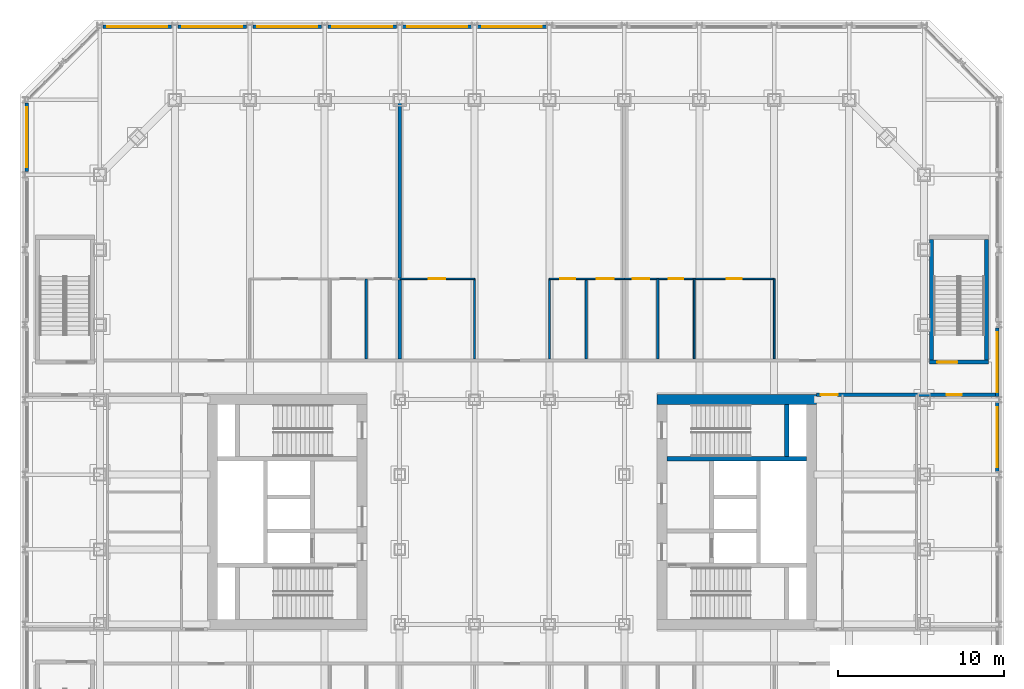
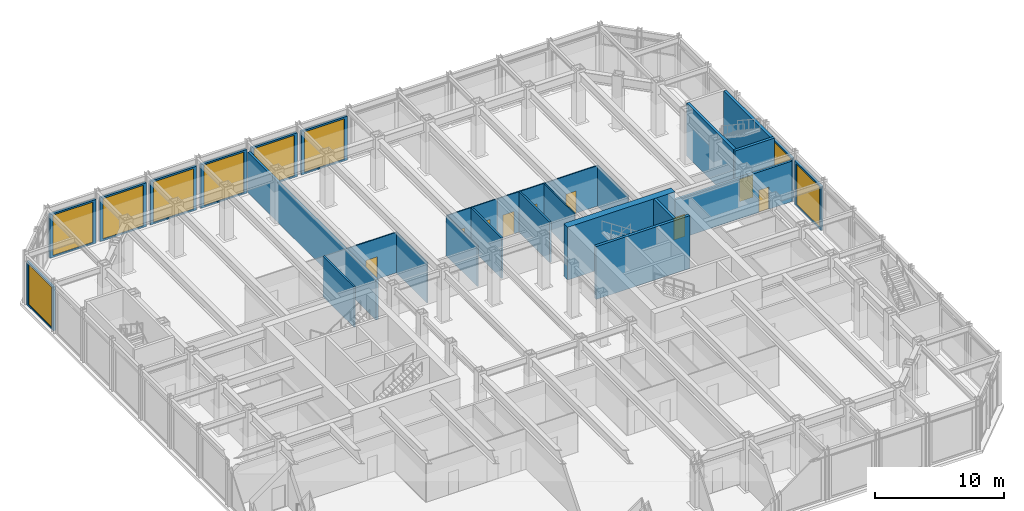
# One storey, part 14 of 19: 27 walls, 9 doors, 9 windows, 18 openings.
"""IFC4 building model written with IfcOpenShell, lengths in metres."""

from ifc_helpers import new_model, si_unit, direction, frame, frame_2d, origin, place, context, subcontext, project, spatial, rectangle, extrude, material, layer, layer_set, type_object, element, fill, save


model = new_model("IFC4")

# Units and contexts
model_context = context("Model", 3, precision=1e-05, world=origin(), true_north=direction((0.0, 1.0)))
body_context = subcontext(model_context, "Body", "Model", "MODEL_VIEW")
ifc_project = project(units=[si_unit("LENGTHUNIT", "METRE"), si_unit("AREAUNIT", "SQUARE_METRE"), si_unit("VOLUMEUNIT", "CUBIC_METRE"), si_unit("PLANEANGLEUNIT", "RADIAN"), si_unit("MASSUNIT", "GRAM", prefix="KILO")], contexts=[model_context])

# Site, building, storey
site_placement = place(None, origin())
site = spatial("IfcSite", under=ifc_project, at=site_placement, CompositionType="ELEMENT")
building_placement = place(site_placement, origin())
building = spatial("IfcBuilding", under=site, at=building_placement, Name="Msasa Ring Tower", CompositionType="ELEMENT")
storey_placement = place(building_placement, frame((0.0, 0.0, 6.0)))
storey = spatial("IfcBuildingStorey", under=building, at=storey_placement, Name="L01", CompositionType="ELEMENT", Elevation=6.0)

# Walls
ifc_material_1 = material(Name="Concrete C60/75", Category="concrete")
ifc_layer_1 = layer(ifc_material_1, 0.60009765625)
ifc_layer_set_1 = layer_set([ifc_layer_1], Name="CW1 CORE WALL 600")
wall_type_1 = type_object("IfcWallType", Name="CW1 CORE WALL 600", PredefinedType="SHEAR", material=ifc_layer_set_1)
wall_1_placement = place(storey_placement, frame((8.699951171875, 6.75, 0.0), z_axis=(0.0, 0.0, 1.0), x_axis=(1.0, 0.0, 0.0)))
element("IfcWall", 1, at=wall_1_placement, inside=storey, type_object=wall_type_1, Name="E core wall N L01", PredefinedType="SHEAR", context=body_context, shape_type="SweptSolid", body=[
    extrude(rectangle(XDim=9.60009765625, YDim=0.60009765625, at=frame_2d((4.800048828125, 0.0))), origin(), (0.0, 0.0, 1.0), 5.0),
])
ifc_material_2 = material(Name="Concrete C60/75", Category="concrete")
ifc_layer_2 = layer(ifc_material_2, 0.25)
ifc_layer_set_2 = layer_set([ifc_layer_2], Name="CW4 CORE INNER WALL 250")
wall_type_2 = type_object("IfcWallType", Name="CW4 CORE INNER WALL 250", PredefinedType="SHEAR", material=ifc_layer_set_2)
wall_2_placement = place(storey_placement, frame((9.300048828125, 3.199951171875, 0.0), z_axis=(0.0, 0.0, 1.0), x_axis=(1.0, 0.0, 0.0)))
element("IfcWall", 2, at=wall_2_placement, inside=storey, type_object=wall_type_2, Name="E core wall STAIRB L01", PredefinedType="SHEAR", context=body_context, shape_type="SweptSolid", body=[
    extrude(rectangle(XDim=8.39990234375, YDim=0.25, at=frame_2d((4.199951171875, 0.0))), origin(), (0.0, 0.0, 1.0), 5.0),
])
wall_3_placement = place(storey_placement, frame((16.5, 3.324951171875, 0.0), z_axis=(0.0, 0.0, 1.0), x_axis=(0.0, 1.0, 0.0)))
element("IfcWall", 3, at=wall_3_placement, inside=storey, type_object=wall_type_2, Name="E core wall RISERB L01", PredefinedType="SHEAR", context=body_context, shape_type="SweptSolid", body=[
    extrude(rectangle(XDim=3.125, YDim=0.25, at=frame_2d((1.5625, 0.0))), origin(), (0.0, 0.0, 1.0), 5.0),
])

# Wall, opening, window
ifc_material_3 = material(Name="Terracotta rainscreen on blockwork", Category="masonry")
ifc_layer_3 = layer(ifc_material_3, 0.199951171875)
ifc_layer_set_3 = layer_set([ifc_layer_3], Name="FW2 TERRACOTTA PODIUM BAY WALL 200")
wall_type_3 = type_object("IfcWallType", Name="FW2 TERRACOTTA PODIUM BAY WALL 200", PredefinedType="SOLIDWALL", material=ifc_layer_set_3)
wall_4_placement = place(storey_placement, frame((29.14990234375, 2.437744140625, 0.0), z_axis=(0.0, 0.0, 1.0), x_axis=(0.0, 1.0, 0.0)))
wall_4 = element("IfcWall", 4, at=wall_4_placement, inside=storey, type_object=wall_type_3, Name="Podium bay wall E L01 19", PredefinedType="SOLIDWALL", context=body_context, shape_type="SweptSolid", body=[
    extrude(rectangle(XDim=4.124755859375, YDim=0.199951171875, at=frame_2d((2.0625, 0.0))), origin(), (0.0, 0.0, 1.0), 4.1328125),
])
opening_1_placement = place(wall_4_placement, frame((0.26220703125, 0.0, 0.14990234375)))
opening_1 = element("IfcOpeningElement", 5, at=opening_1_placement, cuts=wall_4, Name="Opening SF2", PredefinedType="OPENING", context=body_context, shape_type="SweptSolid", body=[
    extrude(rectangle(XDim=3.60009765625, YDim=3.8330078125, at=frame_2d((1.800048828125, 1.91650390625))), frame((0.0, 0.10986328125, 0.0), z_axis=(0.0, -1.0, 0.0), x_axis=(1.0, 0.0, 0.0)), (0.0, 0.0, 1.0), 0.219970703125),
])
ifc_material_4 = material(Name="Aluminium frame with clear glass", Category="aluminium")
window_type = type_object("IfcWindowType", Name="SF2 SHOPFRONT GLAZING 3600x3833", PartitioningType="SINGLE_PANEL", PredefinedType="WINDOW", material=ifc_material_4)
window_1_placement = place(opening_1_placement, origin())
window_1 = element("IfcWindow", 6, at=window_1_placement, inside=storey, type_object=window_type, Name="Shopfront glazing E L01 19", OverallHeight=3.8330078125, OverallWidth=3.60009765625, PartitioningType="SINGLE_PANEL", PredefinedType="WINDOW", context=body_context, shape_type="SweptSolid", body=[
    extrude(rectangle(XDim=3.60009765625, YDim=3.8330078125, at=frame_2d((1.800048828125, 1.91650390625))), frame((0.0, 0.030029296875, 0.0), z_axis=(0.0, -1.0, 0.0), x_axis=(1.0, 0.0, 0.0)), (0.0, 0.0, 1.0), 0.06005859375),
])
fill(opening_1, window_1)

wall_5_placement = place(storey_placement, frame((29.14990234375, 6.9375, 0.0), z_axis=(0.0, 0.0, 1.0), x_axis=(0.0, 1.0, 0.0)))
wall_5 = element("IfcWall", 7, at=wall_5_placement, inside=storey, type_object=wall_type_3, Name="Podium bay wall E L01 20", PredefinedType="SOLIDWALL", context=body_context, shape_type="SweptSolid", body=[
    extrude(rectangle(XDim=4.125, YDim=0.199951171875, at=frame_2d((2.0625, 0.0))), origin(), (0.0, 0.0, 1.0), 4.1328125),
])
opening_2_placement = place(wall_5_placement, frame((0.262451171875, 0.0, 0.14990234375)))
opening_2 = element("IfcOpeningElement", 8, at=opening_2_placement, cuts=wall_5, Name="Opening SF2", PredefinedType="OPENING", context=body_context, shape_type="SweptSolid", body=[
    extrude(rectangle(XDim=3.60009765625, YDim=3.8330078125, at=frame_2d((1.800048828125, 1.91650390625))), frame((0.0, 0.10986328125, 0.0), z_axis=(0.0, -1.0, 0.0), x_axis=(1.0, 0.0, 0.0)), (0.0, 0.0, 1.0), 0.219970703125),
])
window_2_placement = place(opening_2_placement, origin())
window_2 = element("IfcWindow", 9, at=window_2_placement, inside=storey, type_object=window_type, Name="Shopfront glazing E L01 20", OverallHeight=3.8330078125, OverallWidth=3.60009765625, PartitioningType="SINGLE_PANEL", PredefinedType="WINDOW", context=body_context, shape_type="SweptSolid", body=[
    extrude(rectangle(XDim=3.60009765625, YDim=3.8330078125, at=frame_2d((1.800048828125, 1.91650390625))), frame((0.0, 0.030029296875, 0.0), z_axis=(0.0, -1.0, 0.0), x_axis=(1.0, 0.0, 0.0)), (0.0, 0.0, 1.0), 0.06005859375),
])
fill(opening_2, window_2)

wall_6_placement = place(storey_placement, frame((-24.562255859375, 29.14990234375, 0.0), z_axis=(0.0, 0.0, 1.0), x_axis=(1.0, 0.0, 0.0)))
wall_6 = element("IfcWall", 10, at=wall_6_placement, inside=storey, type_object=wall_type_3, Name="Podium bay wall N L01 26", PredefinedType="SOLIDWALL", context=body_context, shape_type="SweptSolid", body=[
    extrude(rectangle(XDim=4.12451171875, YDim=0.199951171875, at=frame_2d((2.062255859375, 0.0))), origin(), (0.0, 0.0, 1.0), 4.1328125),
])
opening_3_placement = place(wall_6_placement, frame((0.26220703125, 0.0, 0.14990234375)))
opening_3 = element("IfcOpeningElement", 11, at=opening_3_placement, cuts=wall_6, Name="Opening SF2", PredefinedType="OPENING", context=body_context, shape_type="SweptSolid", body=[
    extrude(rectangle(XDim=3.60009765625, YDim=3.8330078125, at=frame_2d((1.800048828125, 1.91650390625))), frame((0.0, 0.10986328125, 0.0), z_axis=(0.0, -1.0, 0.0), x_axis=(1.0, 0.0, 0.0)), (0.0, 0.0, 1.0), 0.219970703125),
])
window_3_placement = place(opening_3_placement, origin())
window_3 = element("IfcWindow", 12, at=window_3_placement, inside=storey, type_object=window_type, Name="Shopfront glazing N L01 26", OverallHeight=3.8330078125, OverallWidth=3.60009765625, PartitioningType="SINGLE_PANEL", PredefinedType="WINDOW", context=body_context, shape_type="SweptSolid", body=[
    extrude(rectangle(XDim=3.60009765625, YDim=3.8330078125, at=frame_2d((1.800048828125, 1.91650390625))), frame((0.0, 0.030029296875, 0.0), z_axis=(0.0, -1.0, 0.0), x_axis=(1.0, 0.0, 0.0)), (0.0, 0.0, 1.0), 0.06005859375),
])
fill(opening_3, window_3)

wall_7_placement = place(storey_placement, frame((-20.062255859375, 29.14990234375, 0.0), z_axis=(0.0, 0.0, 1.0), x_axis=(1.0, 0.0, 0.0)))
wall_7 = element("IfcWall", 13, at=wall_7_placement, inside=storey, type_object=wall_type_3, Name="Podium bay wall N L01 27", PredefinedType="SOLIDWALL", context=body_context, shape_type="SweptSolid", body=[
    extrude(rectangle(XDim=4.124755859375, YDim=0.199951171875, at=frame_2d((2.0625, 0.0))), origin(), (0.0, 0.0, 1.0), 4.1328125),
])
opening_4_placement = place(wall_7_placement, frame((0.26220703125, 0.0, 0.14990234375)))
opening_4 = element("IfcOpeningElement", 14, at=opening_4_placement, cuts=wall_7, Name="Opening SF2", PredefinedType="OPENING", context=body_context, shape_type="SweptSolid", body=[
    extrude(rectangle(XDim=3.60009765625, YDim=3.8330078125, at=frame_2d((1.800048828125, 1.91650390625))), frame((0.0, 0.10986328125, 0.0), z_axis=(0.0, -1.0, 0.0), x_axis=(1.0, 0.0, 0.0)), (0.0, 0.0, 1.0), 0.219970703125),
])
window_4_placement = place(opening_4_placement, origin())
window_4 = element("IfcWindow", 15, at=window_4_placement, inside=storey, type_object=window_type, Name="Shopfront glazing N L01 27", OverallHeight=3.8330078125, OverallWidth=3.60009765625, PartitioningType="SINGLE_PANEL", PredefinedType="WINDOW", context=body_context, shape_type="SweptSolid", body=[
    extrude(rectangle(XDim=3.60009765625, YDim=3.8330078125, at=frame_2d((1.800048828125, 1.91650390625))), frame((0.0, 0.030029296875, 0.0), z_axis=(0.0, -1.0, 0.0), x_axis=(1.0, 0.0, 0.0)), (0.0, 0.0, 1.0), 0.06005859375),
])
fill(opening_4, window_4)

wall_8_placement = place(storey_placement, frame((-15.5625, 29.14990234375, 0.0), z_axis=(0.0, 0.0, 1.0), x_axis=(1.0, 0.0, 0.0)))
wall_8 = element("IfcWall", 16, at=wall_8_placement, inside=storey, type_object=wall_type_3, Name="Podium bay wall N L01 28", PredefinedType="SOLIDWALL", context=body_context, shape_type="SweptSolid", body=[
    extrude(rectangle(XDim=4.125, YDim=0.199951171875, at=frame_2d((2.0625, 0.0))), origin(), (0.0, 0.0, 1.0), 4.1328125),
])
opening_5_placement = place(wall_8_placement, frame((0.262451171875, 0.0, 0.14990234375)))
opening_5 = element("IfcOpeningElement", 17, at=opening_5_placement, cuts=wall_8, Name="Opening SF2", PredefinedType="OPENING", context=body_context, shape_type="SweptSolid", body=[
    extrude(rectangle(XDim=3.60009765625, YDim=3.8330078125, at=frame_2d((1.800048828125, 1.91650390625))), frame((0.0, 0.10986328125, 0.0), z_axis=(0.0, -1.0, 0.0), x_axis=(1.0, 0.0, 0.0)), (0.0, 0.0, 1.0), 0.219970703125),
])
window_5_placement = place(opening_5_placement, origin())
window_5 = element("IfcWindow", 18, at=window_5_placement, inside=storey, type_object=window_type, Name="Shopfront glazing N L01 28", OverallHeight=3.8330078125, OverallWidth=3.60009765625, PartitioningType="SINGLE_PANEL", PredefinedType="WINDOW", context=body_context, shape_type="SweptSolid", body=[
    extrude(rectangle(XDim=3.60009765625, YDim=3.8330078125, at=frame_2d((1.800048828125, 1.91650390625))), frame((0.0, 0.030029296875, 0.0), z_axis=(0.0, -1.0, 0.0), x_axis=(1.0, 0.0, 0.0)), (0.0, 0.0, 1.0), 0.06005859375),
])
fill(opening_5, window_5)

wall_9_placement = place(storey_placement, frame((-11.0625, 29.14990234375, 0.0), z_axis=(0.0, 0.0, 1.0), x_axis=(1.0, 0.0, 0.0)))
wall_9 = element("IfcWall", 19, at=wall_9_placement, inside=storey, type_object=wall_type_3, Name="Podium bay wall N L01 29", PredefinedType="SOLIDWALL", context=body_context, shape_type="SweptSolid", body=[
    extrude(rectangle(XDim=4.125, YDim=0.199951171875, at=frame_2d((2.0625, 0.0))), origin(), (0.0, 0.0, 1.0), 4.1328125),
])
opening_6_placement = place(wall_9_placement, frame((0.262451171875, 0.0, 0.14990234375)))
opening_6 = element("IfcOpeningElement", 20, at=opening_6_placement, cuts=wall_9, Name="Opening SF2", PredefinedType="OPENING", context=body_context, shape_type="SweptSolid", body=[
    extrude(rectangle(XDim=3.60009765625, YDim=3.8330078125, at=frame_2d((1.800048828125, 1.91650390625))), frame((0.0, 0.10986328125, 0.0), z_axis=(0.0, -1.0, 0.0), x_axis=(1.0, 0.0, 0.0)), (0.0, 0.0, 1.0), 0.219970703125),
])
window_6_placement = place(opening_6_placement, origin())
window_6 = element("IfcWindow", 21, at=window_6_placement, inside=storey, type_object=window_type, Name="Shopfront glazing N L01 29", OverallHeight=3.8330078125, OverallWidth=3.60009765625, PartitioningType="SINGLE_PANEL", PredefinedType="WINDOW", context=body_context, shape_type="SweptSolid", body=[
    extrude(rectangle(XDim=3.60009765625, YDim=3.8330078125, at=frame_2d((1.800048828125, 1.91650390625))), frame((0.0, 0.030029296875, 0.0), z_axis=(0.0, -1.0, 0.0), x_axis=(1.0, 0.0, 0.0)), (0.0, 0.0, 1.0), 0.06005859375),
])
fill(opening_6, window_6)

wall_10_placement = place(storey_placement, frame((-6.5625, 29.14990234375, 0.0), z_axis=(0.0, 0.0, 1.0), x_axis=(1.0, 0.0, 0.0)))
wall_10 = element("IfcWall", 22, at=wall_10_placement, inside=storey, type_object=wall_type_3, Name="Podium bay wall N L01 30", PredefinedType="SOLIDWALL", context=body_context, shape_type="SweptSolid", body=[
    extrude(rectangle(XDim=4.124755859375, YDim=0.199951171875, at=frame_2d((2.0625, 0.0))), origin(), (0.0, 0.0, 1.0), 4.1328125),
])
opening_7_placement = place(wall_10_placement, frame((0.262451171875, 0.0, 0.14990234375)))
opening_7 = element("IfcOpeningElement", 23, at=opening_7_placement, cuts=wall_10, Name="Opening SF2", PredefinedType="OPENING", context=body_context, shape_type="SweptSolid", body=[
    extrude(rectangle(XDim=3.60009765625, YDim=3.8330078125, at=frame_2d((1.800048828125, 1.91650390625))), frame((0.0, 0.10986328125, 0.0), z_axis=(0.0, -1.0, 0.0), x_axis=(1.0, 0.0, 0.0)), (0.0, 0.0, 1.0), 0.219970703125),
])
window_7_placement = place(opening_7_placement, origin())
window_7 = element("IfcWindow", 24, at=window_7_placement, inside=storey, type_object=window_type, Name="Shopfront glazing N L01 30", OverallHeight=3.8330078125, OverallWidth=3.60009765625, PartitioningType="SINGLE_PANEL", PredefinedType="WINDOW", context=body_context, shape_type="SweptSolid", body=[
    extrude(rectangle(XDim=3.60009765625, YDim=3.8330078125, at=frame_2d((1.800048828125, 1.91650390625))), frame((0.0, 0.030029296875, 0.0), z_axis=(0.0, -1.0, 0.0), x_axis=(1.0, 0.0, 0.0)), (0.0, 0.0, 1.0), 0.06005859375),
])
fill(opening_7, window_7)

wall_11_placement = place(storey_placement, frame((-2.062255859375, 29.14990234375, 0.0), z_axis=(0.0, 0.0, 1.0), x_axis=(1.0, 0.0, 0.0)))
wall_11 = element("IfcWall", 25, at=wall_11_placement, inside=storey, type_object=wall_type_3, Name="Podium bay wall N L01 31", PredefinedType="SOLIDWALL", context=body_context, shape_type="SweptSolid", body=[
    extrude(rectangle(XDim=4.12451171875, YDim=0.199951171875, at=frame_2d((2.062255859375, 0.0))), origin(), (0.0, 0.0, 1.0), 4.1328125),
])
opening_8_placement = place(wall_11_placement, frame((0.26220703125, 0.0, 0.14990234375)))
opening_8 = element("IfcOpeningElement", 26, at=opening_8_placement, cuts=wall_11, Name="Opening SF2", PredefinedType="OPENING", context=body_context, shape_type="SweptSolid", body=[
    extrude(rectangle(XDim=3.60009765625, YDim=3.8330078125, at=frame_2d((1.800048828125, 1.91650390625))), frame((0.0, 0.10986328125, 0.0), z_axis=(0.0, -1.0, 0.0), x_axis=(1.0, 0.0, 0.0)), (0.0, 0.0, 1.0), 0.219970703125),
])
window_8_placement = place(opening_8_placement, origin())
window_8 = element("IfcWindow", 27, at=window_8_placement, inside=storey, type_object=window_type, Name="Shopfront glazing N L01 31", OverallHeight=3.8330078125, OverallWidth=3.60009765625, PartitioningType="SINGLE_PANEL", PredefinedType="WINDOW", context=body_context, shape_type="SweptSolid", body=[
    extrude(rectangle(XDim=3.60009765625, YDim=3.8330078125, at=frame_2d((1.800048828125, 1.91650390625))), frame((0.0, 0.030029296875, 0.0), z_axis=(0.0, -1.0, 0.0), x_axis=(1.0, 0.0, 0.0)), (0.0, 0.0, 1.0), 0.06005859375),
])
fill(opening_8, window_8)

wall_12_placement = place(storey_placement, frame((-29.14990234375, 20.437744140625, 0.0), z_axis=(0.0, 0.0, 1.0), x_axis=(0.0, 1.0, 0.0)))
wall_12 = element("IfcWall", 28, at=wall_12_placement, inside=storey, type_object=wall_type_3, Name="Podium bay wall W L01 49", PredefinedType="SOLIDWALL", context=body_context, shape_type="SweptSolid", body=[
    extrude(rectangle(XDim=4.12451171875, YDim=0.199951171875, at=frame_2d((2.062255859375, 0.0))), origin(), (0.0, 0.0, 1.0), 4.1328125),
])
opening_9_placement = place(wall_12_placement, frame((0.26220703125, 0.0, 0.14990234375)))
opening_9 = element("IfcOpeningElement", 29, at=opening_9_placement, cuts=wall_12, Name="Opening SF2", PredefinedType="OPENING", context=body_context, shape_type="SweptSolid", body=[
    extrude(rectangle(XDim=3.60009765625, YDim=3.8330078125, at=frame_2d((1.800048828125, 1.91650390625))), frame((0.0, 0.10986328125, 0.0), z_axis=(0.0, -1.0, 0.0), x_axis=(1.0, 0.0, 0.0)), (0.0, 0.0, 1.0), 0.219970703125),
])
window_9_placement = place(opening_9_placement, origin())
window_9 = element("IfcWindow", 30, at=window_9_placement, inside=storey, type_object=window_type, Name="Shopfront glazing W L01 49", OverallHeight=3.8330078125, OverallWidth=3.60009765625, PartitioningType="SINGLE_PANEL", PredefinedType="WINDOW", context=body_context, shape_type="SweptSolid", body=[
    extrude(rectangle(XDim=3.60009765625, YDim=3.8330078125, at=frame_2d((1.800048828125, 1.91650390625))), frame((0.0, 0.030029296875, 0.0), z_axis=(0.0, -1.0, 0.0), x_axis=(1.0, 0.0, 0.0)), (0.0, 0.0, 1.0), 0.06005859375),
])
fill(opening_9, window_9)

# Wall, openings, doors
ifc_material_5 = material(Name="Concrete blockwork", Category="masonry")
ifc_layer_4 = layer(ifc_material_5, 0.199951171875)
ifc_layer_set_4 = layer_set([ifc_layer_4], Name="PT1 CORRIDOR WALL 200")
wall_type_4 = type_object("IfcWallType", Name="PT1 CORRIDOR WALL 200", PredefinedType="PARTITIONING", material=ifc_layer_set_4)
wall_13_placement = place(storey_placement, frame((18.300048828125, 7.050048828125, 0.0), z_axis=(0.0, 0.0, 1.0), x_axis=(1.0, 0.0, 0.0)))
wall_13 = element("IfcWall", 31, at=wall_13_placement, inside=storey, type_object=wall_type_4, Name="Corridor wall L01-STREN", PredefinedType="PARTITIONING", context=body_context, shape_type="SweptSolid", body=[
    extrude(rectangle(XDim=10.75, YDim=0.199951171875, at=frame_2d((5.375, 0.0))), origin(), (0.0, 0.0, 1.0), 3.8291015625),
])
opening_10_placement = place(wall_13_placement, frame((7.797607421875, 0.0, 0.0)))
opening_10 = element("IfcOpeningElement", 32, at=opening_10_placement, cuts=wall_13, Name="Opening L01-018", PredefinedType="OPENING", context=body_context, shape_type="SweptSolid", body=[
    extrude(rectangle(XDim=0.89990234375, YDim=2.10009765625, at=frame_2d((0.449951171875, 1.050048828125))), frame((0.0, 0.10986328125, 0.0), z_axis=(0.0, -1.0, 0.0), x_axis=(1.0, 0.0, 0.0)), (0.0, 0.0, 1.0), 0.219970703125),
])
opening_11_placement = place(wall_13_placement, frame((0.25, 0.0, 0.0)))
opening_11 = element("IfcOpeningElement", 33, at=opening_11_placement, cuts=wall_13, Name="Opening L01-017", PredefinedType="OPENING", context=body_context, shape_type="SweptSolid", body=[
    extrude(rectangle(XDim=1.0, YDim=2.10009765625, at=frame_2d((0.5, 1.050048828125))), frame((0.0, 0.10986328125, 0.0), z_axis=(0.0, -1.0, 0.0), x_axis=(1.0, 0.0, 0.0)), (0.0, 0.0, 1.0), 0.219970703125),
])
ifc_material_6 = material(Name="Timber door leaf in a steel frame", Category="steel")
door_type_1 = type_object("IfcDoorType", Name="D1 SINGLE DOOR TO CORRIDOR 900x2100", OperationType="SINGLE_SWING_LEFT", PredefinedType="DOOR", material=ifc_material_6)
door_1_placement = place(opening_10_placement, origin())
door_1 = element("IfcDoor", 34, at=door_1_placement, inside=storey, type_object=door_type_1, Name="Door L01-WOE", OperationType="SINGLE_SWING_RIGHT", OverallHeight=2.10009765625, OverallWidth=0.89990234375, PredefinedType="DOOR", context=body_context, shape_type="SweptSolid", body=[
    extrude(rectangle(XDim=0.89990234375, YDim=2.10009765625, at=frame_2d((0.449951171875, 1.050048828125))), frame((0.0, 0.02490234375, 0.0), z_axis=(0.0, -1.0, 0.0), x_axis=(1.0, 0.0, 0.0)), (0.0, 0.0, 1.0), 0.050048828125),
])
fill(opening_10, door_1)
ifc_material_7 = material(Name="Timber door leaf in a steel frame", Category="steel")
door_type_2 = type_object("IfcDoorType", Name="D12 WC DOOR 1000x2100", OperationType="SINGLE_SWING_LEFT", PredefinedType="DOOR", material=ifc_material_7)
door_2_placement = place(opening_11_placement, origin())
door_2 = element("IfcDoor", 35, at=door_2_placement, inside=storey, type_object=door_type_2, Name="Door L01-WLEN", OperationType="SINGLE_SWING_LEFT", OverallHeight=2.10009765625, OverallWidth=1.0, PredefinedType="DOOR", context=body_context, shape_type="SweptSolid", body=[
    extrude(rectangle(XDim=1.0, YDim=2.10009765625, at=frame_2d((0.5, 1.050048828125))), frame((0.0, 0.02490234375, 0.0), z_axis=(0.0, -1.0, 0.0), x_axis=(1.0, 0.0, 0.0)), (0.0, 0.0, 1.0), 0.050048828125),
])
fill(opening_11, door_2)

# Wall, opening, door
ifc_material_8 = material(Name="Gypsum board on steel studs", Category="steel")
ifc_layer_5 = layer(ifc_material_8, 0.10009765625)
ifc_layer_set_5 = layer_set([ifc_layer_5], Name="PT2 STUD PARTITION 100")
wall_type_5 = type_object("IfcWallType", Name="PT2 STUD PARTITION 100", PredefinedType="PARTITIONING", material=ifc_layer_set_5)
wall_14_placement = place(storey_placement, frame((-6.75, 14.0, 0.0), z_axis=(0.0, 0.0, 1.0), x_axis=(1.0, 0.0, 0.0)))
wall_14 = element("IfcWall", 36, at=wall_14_placement, inside=storey, type_object=wall_type_5, Name="Partition L01-PDN1BY", PredefinedType="PARTITIONING", context=body_context, shape_type="SweptSolid", body=[
    extrude(rectangle(XDim=4.5, YDim=0.10009765625, at=frame_2d((2.25, 0.0))), origin(), (0.0, 0.0, 1.0), 3.8291015625),
])
opening_12_placement = place(wall_14_placement, frame((1.75, 0.0, 0.0)))
opening_12 = element("IfcOpeningElement", 37, at=opening_12_placement, cuts=wall_14, Name="Opening L01-004", PredefinedType="OPENING", context=body_context, shape_type="SweptSolid", body=[
    extrude(rectangle(XDim=1.0, YDim=2.10009765625, at=frame_2d((0.5, 1.050048828125))), frame((0.0, 0.06005859375, 0.0), z_axis=(0.0, -1.0, 0.0), x_axis=(1.0, 0.0, 0.0)), (0.0, 0.0, 1.0), 0.1201171875),
])
ifc_material_9 = material(Name="Timber door leaf in a steel frame", Category="steel")
door_type_3 = type_object("IfcDoorType", Name="D27 INTERNAL STORE DOOR 1000x2100", OperationType="SINGLE_SWING_LEFT", PredefinedType="DOOR", material=ifc_material_9)
door_3_placement = place(opening_12_placement, origin())
door_3 = element("IfcDoor", 38, at=door_3_placement, inside=storey, type_object=door_type_3, Name="Door L01-PDN1B0", OperationType="SINGLE_SWING_LEFT", OverallHeight=2.10009765625, OverallWidth=1.0, PredefinedType="DOOR", context=body_context, shape_type="SweptSolid", body=[
    extrude(rectangle(XDim=1.0, YDim=2.10009765625, at=frame_2d((0.5, 1.050048828125))), frame((0.0, 0.02490234375, 0.0), z_axis=(0.0, -1.0, 0.0), x_axis=(1.0, 0.0, 0.0)), (0.0, 0.0, 1.0), 0.050048828125),
])
fill(opening_12, door_3)

# Wall, openings, doors
wall_15_placement = place(storey_placement, frame((2.25, 14.0, 0.0), z_axis=(0.0, 0.0, 1.0), x_axis=(1.0, 0.0, 0.0)))
wall_15 = element("IfcWall", 39, at=wall_15_placement, inside=storey, type_object=wall_type_5, Name="Partition L01-PDN1BY1", PredefinedType="PARTITIONING", context=body_context, shape_type="SweptSolid", body=[
    extrude(rectangle(XDim=4.5, YDim=0.10009765625, at=frame_2d((2.25, 0.0))), origin(), (0.0, 0.0, 1.0), 3.8291015625),
])
opening_13_placement = place(wall_15_placement, frame((0.64990234375, 0.0, 0.0)))
opening_13 = element("IfcOpeningElement", 40, at=opening_13_placement, cuts=wall_15, Name="Opening L01-005", PredefinedType="OPENING", context=body_context, shape_type="SweptSolid", body=[
    extrude(rectangle(XDim=0.89990234375, YDim=2.10009765625, at=frame_2d((0.449951171875, 1.050048828125))), frame((0.0, 0.06005859375, 0.0), z_axis=(0.0, -1.0, 0.0), x_axis=(1.0, 0.0, 0.0)), (0.0, 0.0, 1.0), 0.1201171875),
])
opening_14_placement = place(wall_15_placement, frame((2.85009765625, 0.0, 0.0)))
opening_14 = element("IfcOpeningElement", 41, at=opening_14_placement, cuts=wall_15, Name="Opening L01-006", PredefinedType="OPENING", context=body_context, shape_type="SweptSolid", body=[
    extrude(rectangle(XDim=1.0, YDim=2.10009765625, at=frame_2d((0.5, 1.050048828125))), frame((0.0, 0.06005859375, 0.0), z_axis=(0.0, -1.0, 0.0), x_axis=(1.0, 0.0, 0.0)), (0.0, 0.0, 1.0), 0.1201171875),
])
door_4_placement = place(opening_14_placement, origin())
door_4 = element("IfcDoor", 42, at=door_4_placement, inside=storey, type_object=door_type_2, Name="Door L01-PDN1B2", OperationType="SINGLE_SWING_RIGHT", OverallHeight=2.10009765625, OverallWidth=1.0, PredefinedType="DOOR", context=body_context, shape_type="SweptSolid", body=[
    extrude(rectangle(XDim=1.0, YDim=2.10009765625, at=frame_2d((0.5, 1.050048828125))), frame((0.0, 0.02490234375, 0.0), z_axis=(0.0, -1.0, 0.0), x_axis=(1.0, 0.0, 0.0)), (0.0, 0.0, 1.0), 0.050048828125),
])
fill(opening_14, door_4)
ifc_material_10 = material(Name="Timber door leaf in a steel frame", Category="steel")
door_type_4 = type_object("IfcDoorType", Name="D22 INTERNAL HALL DOOR 900x2100", OperationType="SINGLE_SWING_LEFT", PredefinedType="DOOR", material=ifc_material_10)
door_5_placement = place(opening_13_placement, origin())
door_5 = element("IfcDoor", 43, at=door_5_placement, inside=storey, type_object=door_type_4, Name="Door L01-PDN1B1", OperationType="SINGLE_SWING_LEFT", OverallHeight=2.10009765625, OverallWidth=0.89990234375, PredefinedType="DOOR", context=body_context, shape_type="SweptSolid", body=[
    extrude(rectangle(XDim=0.89990234375, YDim=2.10009765625, at=frame_2d((0.449951171875, 1.050048828125))), frame((0.0, 0.02490234375, 0.0), z_axis=(0.0, -1.0, 0.0), x_axis=(1.0, 0.0, 0.0)), (0.0, 0.0, 1.0), 0.050048828125),
])
fill(opening_13, door_5)

# Walls
for number, where, z_axis, x_axis, name in (
    (44, (-2.25, 9.199951171875, 0.0), (0.0, 0.0, 1.0), (0.0, 1.0, 0.0), "Partition L01-PDN1BX-2.25"),
    (45, (2.25, 9.199951171875, 0.0), (0.0, 0.0, 1.0), (0.0, 1.0, 0.0), "Partition L01-PDN1BX+2.25"),
):
    element("IfcWall", number, at=place(storey_placement, frame(where, z_axis=z_axis, x_axis=x_axis)), inside=storey, type_object=wall_type_5, Name=name, PredefinedType="PARTITIONING", context=body_context, shape_type="SweptSolid", body=[
        extrude(rectangle(XDim=4.800048828125, YDim=0.10009765625, at=frame_2d((2.39990234375, 0.0))), origin(), (0.0, 0.0, 1.0), 3.8291015625),
    ])

# Wall, openings, doors
wall_16_placement = place(storey_placement, frame((6.75, 14.0, 0.0), z_axis=(0.0, 0.0, 1.0), x_axis=(1.0, 0.0, 0.0)))
wall_16 = element("IfcWall", 46, at=wall_16_placement, inside=storey, type_object=wall_type_5, Name="Partition L01-PDN2BY", PredefinedType="PARTITIONING", context=body_context, shape_type="SweptSolid", body=[
    extrude(rectangle(XDim=9.0, YDim=0.10009765625, at=frame_2d((4.5, 0.0))), origin(), (0.0, 0.0, 1.0), 3.8291015625),
])
opening_15_placement = place(wall_16_placement, frame((6.14990234375, 0.0, 0.0)))
opening_15 = element("IfcOpeningElement", 47, at=opening_15_placement, cuts=wall_16, Name="Opening L01-009", PredefinedType="OPENING", context=body_context, shape_type="SweptSolid", body=[
    extrude(rectangle(XDim=0.89990234375, YDim=2.10009765625, at=frame_2d((0.449951171875, 1.050048828125))), frame((0.0, 0.06005859375, 0.0), z_axis=(0.0, -1.0, 0.0), x_axis=(1.0, 0.0, 0.0)), (0.0, 0.0, 1.0), 0.1201171875),
])
opening_16_placement = place(wall_16_placement, frame((2.64990234375, 0.0, 0.0)))
opening_16 = element("IfcOpeningElement", 48, at=opening_16_placement, cuts=wall_16, Name="Opening L01-008", PredefinedType="OPENING", context=body_context, shape_type="SweptSolid", body=[
    extrude(rectangle(XDim=0.89990234375, YDim=2.10009765625, at=frame_2d((0.449951171875, 1.050048828125))), frame((0.0, 0.06005859375, 0.0), z_axis=(0.0, -1.0, 0.0), x_axis=(1.0, 0.0, 0.0)), (0.0, 0.0, 1.0), 0.1201171875),
])
opening_17_placement = place(wall_16_placement, frame((0.5, 0.0, 0.0)))
opening_17 = element("IfcOpeningElement", 49, at=opening_17_placement, cuts=wall_16, Name="Opening L01-007", PredefinedType="OPENING", context=body_context, shape_type="SweptSolid", body=[
    extrude(rectangle(XDim=1.0, YDim=2.10009765625, at=frame_2d((0.5, 1.050048828125))), frame((0.0, 0.06005859375, 0.0), z_axis=(0.0, -1.0, 0.0), x_axis=(1.0, 0.0, 0.0)), (0.0, 0.0, 1.0), 0.1201171875),
])
door_6_placement = place(opening_17_placement, origin())
door_6 = element("IfcDoor", 50, at=door_6_placement, inside=storey, type_object=door_type_2, Name="Door L01-PDN2B2", OperationType="SINGLE_SWING_LEFT", OverallHeight=2.10009765625, OverallWidth=1.0, PredefinedType="DOOR", context=body_context, shape_type="SweptSolid", body=[
    extrude(rectangle(XDim=1.0, YDim=2.10009765625, at=frame_2d((0.5, 1.050048828125))), frame((0.0, 0.02490234375, 0.0), z_axis=(0.0, -1.0, 0.0), x_axis=(1.0, 0.0, 0.0)), (0.0, 0.0, 1.0), 0.050048828125),
])
fill(opening_17, door_6)
door_7_placement = place(opening_15_placement, origin())
door_7 = element("IfcDoor", 51, at=door_7_placement, inside=storey, type_object=door_type_4, Name="Door L01-PDN2B0", OperationType="SINGLE_SWING_RIGHT", OverallHeight=2.10009765625, OverallWidth=0.89990234375, PredefinedType="DOOR", context=body_context, shape_type="SweptSolid", body=[
    extrude(rectangle(XDim=0.89990234375, YDim=2.10009765625, at=frame_2d((0.449951171875, 1.050048828125))), frame((0.0, 0.02490234375, 0.0), z_axis=(0.0, -1.0, 0.0), x_axis=(1.0, 0.0, 0.0)), (0.0, 0.0, 1.0), 0.050048828125),
])
fill(opening_15, door_7)
door_8_placement = place(opening_16_placement, origin())
door_8 = element("IfcDoor", 52, at=door_8_placement, inside=storey, type_object=door_type_4, Name="Door L01-PDN2B1", OperationType="SINGLE_SWING_LEFT", OverallHeight=2.10009765625, OverallWidth=0.89990234375, PredefinedType="DOOR", context=body_context, shape_type="SweptSolid", body=[
    extrude(rectangle(XDim=0.89990234375, YDim=2.10009765625, at=frame_2d((0.449951171875, 1.050048828125))), frame((0.0, 0.02490234375, 0.0), z_axis=(0.0, -1.0, 0.0), x_axis=(1.0, 0.0, 0.0)), (0.0, 0.0, 1.0), 0.050048828125),
])
fill(opening_16, door_8)

# Walls
for number, where, z_axis, x_axis, name in (
    (53, (10.949951171875, 9.199951171875, 0.0), (0.0, 0.0, 1.0), (0.0, 1.0, 0.0), "Partition L01-PDN2BX+10.95"),
    (54, (15.75, 9.199951171875, 0.0), (0.0, 0.0, 1.0), (0.0, 1.0, 0.0), "Partition L01-PDN2BX+15.75"),
):
    element("IfcWall", number, at=place(storey_placement, frame(where, z_axis=z_axis, x_axis=x_axis)), inside=storey, type_object=wall_type_5, Name=name, PredefinedType="PARTITIONING", context=body_context, shape_type="SweptSolid", body=[
        extrude(rectangle(XDim=4.800048828125, YDim=0.10009765625, at=frame_2d((2.39990234375, 0.0))), origin(), (0.0, 0.0, 1.0), 3.8291015625),
    ])
ifc_material_11 = material(Name="Dense concrete blockwork, plastered both faces", Category="masonry")
ifc_layer_6 = layer(ifc_material_11, 0.25)
ifc_layer_set_6 = layer_set([ifc_layer_6], Name="PT3 APARTMENT SEPARATING WALL 250")
wall_type_6 = type_object("IfcWallType", Name="PT3 APARTMENT SEPARATING WALL 250", PredefinedType="PARTITIONING", material=ifc_layer_set_6)
wall_17_placement = place(storey_placement, frame((-6.75, 9.199951171875, 0.0), z_axis=(0.0, 0.0, 1.0), x_axis=(0.0, 1.0, 0.0)))
element("IfcWall", 55, at=wall_17_placement, inside=storey, type_object=wall_type_6, Name="Party wall L01-PWN-6.75", PredefinedType="PARTITIONING", context=body_context, shape_type="SweptSolid", body=[
    extrude(rectangle(XDim=19.888916015625, YDim=0.199951171875, at=frame_2d((9.9443359375, 0.0))), origin(), (0.0, 0.0, 1.0), 3.8291015625),
])
ifc_material_12 = material(Name="Moisture-resistant board on steel studs with a concealed cistern and pipe void, tiled", Category="steel")
ifc_layer_7 = layer(ifc_material_12, 0.14990234375)
ifc_layer_set_7 = layer_set([ifc_layer_7], Name="PT4 BATHROOM WET WALL 150")
wall_type_7 = type_object("IfcWallType", Name="PT4 BATHROOM WET WALL 150", PredefinedType="PARTITIONING", material=ifc_layer_set_7)
for number, where, z_axis, x_axis, name in (
    (56, (-8.75, 9.199951171875, 0.0), (0.0, 0.0, 1.0), (0.0, 1.0, 0.0), "Partition L01-PDN0BX-8.75"),
    (57, (4.449951171875, 9.199951171875, 0.0), (0.0, 0.0, 1.0), (0.0, 1.0, 0.0), "Partition L01-PDN1BX+4.45"),
    (58, (8.75, 9.199951171875, 0.0), (0.0, 0.0, 1.0), (0.0, 1.0, 0.0), "Partition L01-PDN2BX+8.75"),
):
    element("IfcWall", number, at=place(storey_placement, frame(where, z_axis=z_axis, x_axis=x_axis)), inside=storey, type_object=wall_type_7, Name=name, PredefinedType="PARTITIONING", context=body_context, shape_type="SweptSolid", body=[
        extrude(rectangle(XDim=4.800048828125, YDim=0.14990234375, at=frame_2d((2.39990234375, 0.0))), origin(), (0.0, 0.0, 1.0), 3.8291015625),
    ])

# Wall, opening, door
ifc_material_13 = material(Name="Concrete C60/75", Category="concrete")
ifc_layer_8 = layer(ifc_material_13, 0.25)
ifc_layer_set_8 = layer_set([ifc_layer_8], Name="SW1 STAIR WALL 250")
wall_type_8 = type_object("IfcWallType", Name="SW1 STAIR WALL 250", PredefinedType="SHEAR", material=ifc_layer_set_8)
wall_18_placement = place(storey_placement, frame((25.074951171875, 9.0, 0.0), z_axis=(0.0, 0.0, 1.0), x_axis=(1.0, 0.0, 0.0)))
wall_18 = element("IfcWall", 59, at=wall_18_placement, inside=storey, type_object=wall_type_8, Name="Podium stair EN wall S L01", PredefinedType="SHEAR", context=body_context, shape_type="SweptSolid", body=[
    extrude(rectangle(XDim=3.550048828125, YDim=0.25, at=frame_2d((1.77490234375, 0.0))), origin(), (0.0, 0.0, 1.0), 5.0),
])
opening_18_placement = place(wall_18_placement, frame((0.47509765625, 0.0, 0.0)))
opening_18 = element("IfcOpeningElement", 60, at=opening_18_placement, cuts=wall_18, Name="Opening L01-014", PredefinedType="OPENING", context=body_context, shape_type="SweptSolid", body=[
    extrude(rectangle(XDim=1.199951171875, YDim=2.10009765625, at=frame_2d((0.60009765625, 1.050048828125))), frame((0.0, 0.135009765625, 0.0), z_axis=(0.0, -1.0, 0.0), x_axis=(1.0, 0.0, 0.0)), (0.0, 0.0, 1.0), 0.27001953125),
])
ifc_material_14 = material(Name="Timber door leaf in a steel frame", Category="steel")
door_type_5 = type_object("IfcDoorType", Name="D7 WIDE STAIR DOOR 1200x2100", OperationType="SINGLE_SWING_LEFT", PredefinedType="DOOR", material=ifc_material_14)
door_9_placement = place(opening_18_placement, origin())
door_9 = element("IfcDoor", 61, at=door_9_placement, inside=storey, type_object=door_type_5, Name="Door L01-PSTEN", OperationType="SINGLE_SWING_LEFT", OverallHeight=2.10009765625, OverallWidth=1.199951171875, PredefinedType="DOOR", context=body_context, shape_type="SweptSolid", body=[
    extrude(rectangle(XDim=1.199951171875, YDim=2.10009765625, at=frame_2d((0.60009765625, 1.050048828125))), frame((0.0, 0.02490234375, 0.0), z_axis=(0.0, -1.0, 0.0), x_axis=(1.0, 0.0, 0.0)), (0.0, 0.0, 1.0), 0.050048828125),
])
fill(opening_18, door_9)

# Walls
for number, where, z_axis, x_axis, name in (
    (62, (25.199951171875, 9.125, 0.0), (0.0, 0.0, 1.0), (0.0, 1.0, 0.0), "Podium stair EN wall W L01"),
    (63, (28.5, 9.125, 0.0), (0.0, 0.0, 1.0), (0.0, 1.0, 0.0), "Podium stair EN wall E L01"),
):
    element("IfcWall", number, at=place(storey_placement, frame(where, z_axis=z_axis, x_axis=x_axis)), inside=storey, type_object=wall_type_8, Name=name, PredefinedType="SHEAR", context=body_context, shape_type="SweptSolid", body=[
        extrude(rectangle(XDim=7.25, YDim=0.25, at=frame_2d((3.625, 0.0))), origin(), (0.0, 0.0, 1.0), 5.0),
    ])

save(model, "model.ifc")
